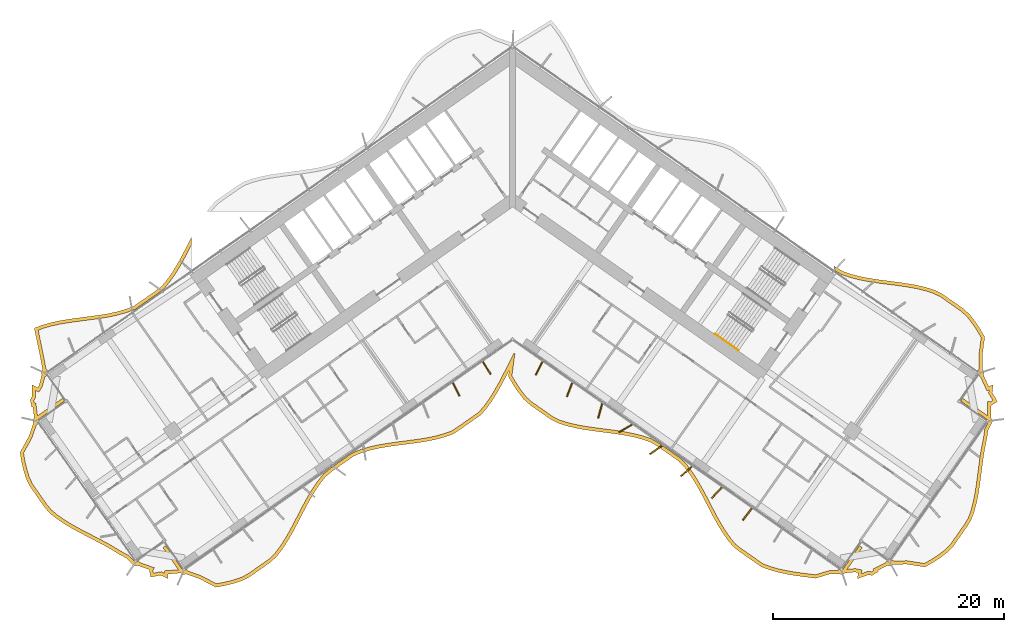
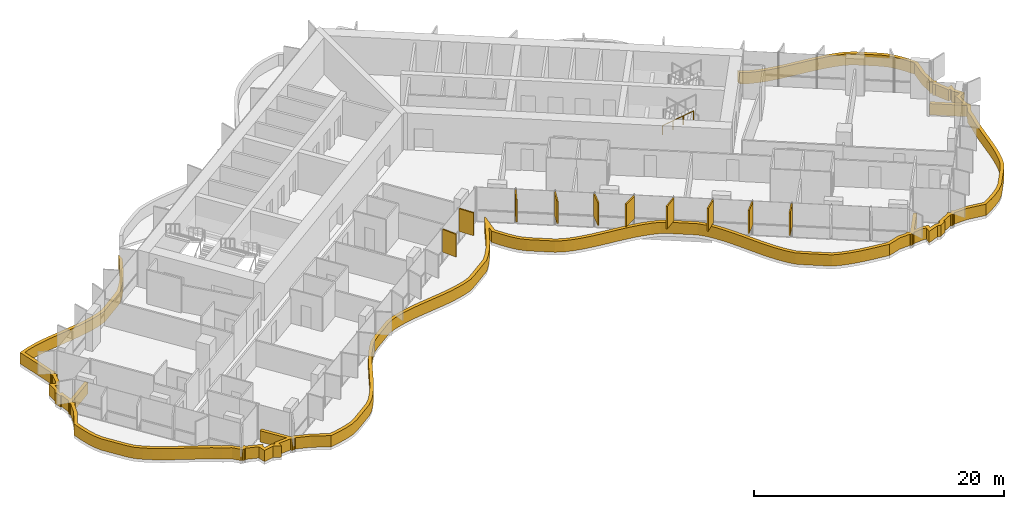
# One storey, part 19 of 22: 11 shading devices, 1 railing.
"""IFC4 building model written with IfcOpenShell, lengths in metres."""

import ifcopenshell
import ifcopenshell.guid

model = None  # the IFC model being written
_history = None  # IfcOwnerHistory: only IFC2X3 demands one
_inside = {}  # id of a spatial element -> (the spatial element, [elements in it])
_under = {}  # id of a project, library or spatial element -> (it, [spatial elements below it])
_declared = {}  # id of a project -> (the project, [libraries it declares])
_typed = {}  # id of a type object -> (the type object, [elements of that type])
_made_of = {}  # id of a material, layer set ... -> (it, [elements and type objects made of it])


def new_model(schema):
    """Start an empty IFC model of exactly this schema.

    Asked for "IFC4X3", IfcOpenShell would pick the latest addendum, in which some entities
    have other attributes; the version numbers below select the first issue.
    IFC2X3 requires an IfcOwnerHistory on every rooted entity: one is made here for all.
    """
    global model, _history
    if schema == "IFC4X3":
        model = ifcopenshell.file(schema_version=(4, 3, 0, 0))
    else:
        model = ifcopenshell.file(schema=schema)
    _inside.clear()
    _under.clear()
    _declared.clear()
    _typed.clear()
    _made_of.clear()
    _history = None
    if model.schema == "IFC2X3":
        org = make("IfcOrganization", Name="unknown")
        user = make(
            "IfcPersonAndOrganization",
            ThePerson=make("IfcPerson", FamilyName="unknown"),
            TheOrganization=org,
        )
        app = make(
            "IfcApplication",
            ApplicationDeveloper=org,
            Version="unknown",
            ApplicationFullName="unknown",
            ApplicationIdentifier="unknown",
        )
        _history = make(
            "IfcOwnerHistory",
            OwningUser=user,
            OwningApplication=app,
            ChangeAction="ADDED",
            CreationDate=0,
        )
    return model


def make(cls, **values):
    """One entity of the class cls with the attributes given. An attribute that is None is left unset."""
    return model.create_entity(
        cls, **{name: value for name, value in values.items() if value is not None}
    )


def rooted(cls, **values):
    """An entity with a GlobalId (a new one), such as an element, a storey or a relation."""
    return make(cls, GlobalId=ifcopenshell.guid.new(), OwnerHistory=_history, **values)


def si_unit(unit_type, name, prefix=None):
    """IfcSIUnit, for example si_unit("LENGTHUNIT", "METRE", prefix="MILLI")."""
    return make("IfcSIUnit", UnitType=unit_type, Prefix=prefix, Name=name)


def assignment(units):
    """IfcUnitAssignment: the units of a project."""
    return None if units is None else make("IfcUnitAssignment", Units=units)


def point(xyz):
    """IfcCartesianPoint."""
    return None if xyz is None else make("IfcCartesianPoint", Coordinates=xyz)


def direction(xyz):
    """IfcDirection."""
    return None if xyz is None else make("IfcDirection", DirectionRatios=xyz)


def frame(location, z_axis=None, x_axis=None):
    """IfcAxis2Placement3D, a coordinate frame: its origin and axes. An axis left out is left unset."""
    return make(
        "IfcAxis2Placement3D",
        Location=point(location),
        Axis=direction(z_axis),
        RefDirection=direction(x_axis),
    )


def frame_2d(location, x_axis=None):
    """IfcAxis2Placement2D, a coordinate frame in the plane: its origin and x axis."""
    return make(
        "IfcAxis2Placement2D", Location=point(location), RefDirection=direction(x_axis)
    )


def origin():
    """The frame at (0, 0, 0) with its axes left unset."""
    return frame((0.0, 0.0, 0.0))


def origin_2d():
    """The frame at (0, 0) in the plane with its x axis left unset."""
    return frame_2d((0.0, 0.0))


def place(relative_to, where):
    """IfcLocalPlacement: puts the frame where relative to a parent placement (None: the world)."""
    return make(
        "IfcLocalPlacement", PlacementRelTo=relative_to, RelativePlacement=where
    )


def context(
    kind, dimensions, precision=None, world=None, true_north=None, identifier=None
):
    """IfcGeometricRepresentationContext, for example the 3D "Model" context."""
    return make(
        "IfcGeometricRepresentationContext",
        ContextIdentifier=identifier,
        ContextType=kind,
        CoordinateSpaceDimension=dimensions,
        Precision=precision,
        WorldCoordinateSystem=world,
        TrueNorth=true_north,
    )


def subcontext(parent, identifier, kind, view, scale=None):
    """IfcGeometricRepresentationSubContext, for example "Body" below "Model"."""
    return make(
        "IfcGeometricRepresentationSubContext",
        ContextIdentifier=identifier,
        ContextType=kind,
        ParentContext=parent,
        TargetScale=scale,
        TargetView=view,
    )


def project(units=None, contexts=None):
    """IfcProject with its units and contexts."""
    return rooted(
        "IfcProject",
        Name="project",
        RepresentationContexts=contexts,
        UnitsInContext=assignment(units),
    )


def spatial(cls, under=None, at=None, **own):
    """A site, building, storey or space (cls), placed at a placement, below another one or the project."""
    s = rooted(cls, ObjectPlacement=at, **own)
    if under is not None:
        _under.setdefault(under.id(), (under, []))[1].append(s)
    return s


def polyline(points):
    """IfcPolyline through the points."""
    return make("IfcPolyline", Points=[point(p) for p in points])


def profile(cls, at=None, kind="AREA", **sizes):
    """A parametric profile (cls). Its sizes go by their IFC names, for example OverallWidth=200.0."""
    return make(cls, ProfileType=kind, Position=at, **sizes)


def rectangle(**sizes):
    """IfcRectangleProfileDef."""
    return profile("IfcRectangleProfileDef", **sizes)


def circle(**sizes):
    """IfcCircleProfileDef."""
    return profile("IfcCircleProfileDef", **sizes)


def outline(outer, holes=None, kind="AREA"):
    """IfcArbitraryClosedProfileDef: a profile drawn as a closed curve; with holes, ...WithVoids."""
    if holes is None:
        return make("IfcArbitraryClosedProfileDef", ProfileType=kind, OuterCurve=outer)
    return make(
        "IfcArbitraryProfileDefWithVoids",
        ProfileType=kind,
        OuterCurve=outer,
        InnerCurves=holes,
    )


def extrude(swept, where, along, depth):
    """IfcExtrudedAreaSolid: the profile swept, set in the frame where, extruded along a direction by depth."""
    return make(
        "IfcExtrudedAreaSolid",
        SweptArea=swept,
        Position=where,
        ExtrudedDirection=direction(along),
        Depth=depth,
    )


def shape(context_of_items, identifier, shape_type, items):
    """IfcShapeRepresentation: the items that make up one representation, for example the "Body"."""
    return make(
        "IfcShapeRepresentation",
        ContextOfItems=context_of_items,
        RepresentationIdentifier=identifier,
        RepresentationType=shape_type,
        Items=items,
    )


def material(Name=None, Category=None):
    """IfcMaterial."""
    return make("IfcMaterial", Name=Name, Category=Category)


def layer(
    of_material, thickness, ventilated=None, Name=None, Category=None, Priority=None
):
    """IfcMaterialLayer: one layer of a wall or slab, of a material (None: an air gap)."""
    return make(
        "IfcMaterialLayer",
        Material=of_material,
        LayerThickness=thickness,
        IsVentilated=ventilated,
        Name=Name,
        Category=Category,
        Priority=Priority,
    )


def layer_set(layers, Name=None):
    """IfcMaterialLayerSet."""
    return make("IfcMaterialLayerSet", MaterialLayers=layers, LayerSetName=Name)


def made_of(thing, what):
    """Note that an element or type object is made of a material, layer set ...; save() writes the relation."""
    if what is not None:
        _made_of.setdefault(what.id(), (what, []))[1].append(thing)
    return thing


def type_object(cls, material=None, **own):
    """A type object (cls), such as IfcWallType, which elements share."""
    return made_of(rooted(cls, **own), material)


def element(
    cls,
    number,
    at=None,
    inside=None,
    cuts=None,
    type_object=None,
    material=None,
    context=None,
    identifier="Body",
    shape_type=None,
    held_by="IfcProductDefinitionShape",
    body=None,
    shapes=None,
    **own,
):
    """One element of the class cls, such as IfcWall. Its Tag is "e" and its number.

    at: its placement. inside: the storey or other place that contains it. cuts: it is an
    opening in that element (IfcRelVoidsElement). A single representation is given by context,
    identifier, shape_type and body (its items); several are given by shapes. held_by: the class
    of the entity that holds the representations. save() writes the other relations.
    """
    e = rooted(cls, Tag="e%d" % number, ObjectPlacement=at, **own)
    if body is not None:
        shapes = [shape(context, identifier, shape_type, body)]
    if shapes is not None:
        e.Representation = make(held_by, Representations=shapes)
    if inside is not None:
        _inside.setdefault(inside.id(), (inside, []))[1].append(e)
    if cuts is not None:
        rooted(
            "IfcRelVoidsElement", RelatingBuildingElement=cuts, RelatedOpeningElement=e
        )
    if type_object is not None:
        _typed.setdefault(type_object.id(), (type_object, []))[1].append(e)
    return made_of(e, material)


def aggregate(whole, parts):
    """IfcRelAggregates: a whole, such as a stair, and the parts it consists of."""
    return rooted("IfcRelAggregates", RelatingObject=whole, RelatedObjects=parts)


def save(model, path):
    """Write the relations noted so far, then the file.

    IfcRelAggregates (storeys below a building ...), IfcRelContainedInSpatialStructure (elements
    in a storey), IfcRelDefinesByType, IfcRelAssociatesMaterial and IfcRelDeclares: one each for
    every whole, place, type object, material and project.
    """
    for whole, parts in _under.values():
        aggregate(whole, parts)
    for where, things in _inside.values():
        rooted(
            "IfcRelContainedInSpatialStructure",
            RelatedElements=things,
            RelatingStructure=where,
        )
    for kind, things in _typed.values():
        rooted("IfcRelDefinesByType", RelatedObjects=things, RelatingType=kind)
    for what, things in _made_of.values():
        rooted("IfcRelAssociatesMaterial", RelatedObjects=things, RelatingMaterial=what)
    for by, libraries in _declared.values():
        rooted("IfcRelDeclares", RelatingContext=by, RelatedDefinitions=libraries)
    model.write(path)


model = new_model("IFC4")

# Units and contexts
model_context = context("Model", 3, precision=1e-05, world=origin(), true_north=direction((0.0, 1.0)))
body_context = subcontext(model_context, "Body", "Model", "MODEL_VIEW")
ifc_project = project(units=[si_unit("LENGTHUNIT", "METRE"), si_unit("AREAUNIT", "SQUARE_METRE"), si_unit("VOLUMEUNIT", "CUBIC_METRE"), si_unit("PLANEANGLEUNIT", "RADIAN"), si_unit("MASSUNIT", "GRAM", prefix="KILO")], contexts=[model_context])

# Site, building, storey
site_placement = place(None, origin())
site = spatial("IfcSite", under=ifc_project, at=site_placement, CompositionType="ELEMENT")
building_placement = place(site_placement, origin())
building = spatial("IfcBuilding", under=site, at=building_placement, Name="Tel Ilan Convention Tower", CompositionType="ELEMENT")
storey_placement = place(building_placement, frame((0.0, 0.0, 122.89990234375)))
storey = spatial("IfcBuildingStorey", under=building, at=storey_placement, Name="L27", CompositionType="ELEMENT", Elevation=122.89990234375)

# Shading devices
ifc_material_1 = material(Name="Aluminium, bronze anodised", Category="aluminium")
ifc_layer_1 = layer(ifc_material_1, 0.1201171875)
ifc_layer_set_1 = layer_set([ifc_layer_1], Name="FIN BRONZE 1300x120")
shading_device_type_1 = type_object("IfcShadingDeviceType", Name="FIN BRONZE 1300x120", PredefinedType="USERDEFINED", material=ifc_layer_set_1)
for number, where, z_axis, x_axis, name in (
    (1, (-4.893798828125, -17.039794921875, 1.10009765625), (0.0, 0.0, 1.0), (0.448799180206, -0.893632640321, 0.0), "FIN"),
    (2, (-2.2470703125, -15.18701171875, 1.10009765625), (0.0, 0.0, 1.0), (0.533204432798, -0.845986425922, 0.0), "FIN"),
    (3, (2.298583984375, -15.222900390625, 1.10009765625), (0.0, 0.0, 1.0), (-0.448799180206, -0.893632640321, 0.0), "FIN"),
    (4, (4.947998046875, -17.070068359375, 1.10009765625), (0.0, 0.0, 1.0), (-0.360177724803, -0.932883704733, 0.0), "FIN"),
    (5, (7.599609375, -18.91162109375, 1.10009765625), (0.0, 0.0, 1.0), (-0.268172612768, -0.963370878614, 0.0), "FIN"),
    (6, (9.802978515625, -20.431884765625, 1.10009765625), (0.0, 0.0, 1.0), (-0.866025403784, -0.5, 0.0), "FIN"),
    (7, (12.435302734375, -22.29736328125, 1.10009765625), (0.0, 0.0, 1.0), (-0.813552070258, -0.581492071294, 0.0), "FIN"),
    (8, (15.07275390625, -24.159423828125, 1.10009765625), (0.0, 0.0, 1.0), (-0.753435896329, -0.657521368568, 0.0), "FIN"),
    (9, (17.714599609375, -26.01708984375, 1.10009765625), (0.0, 0.0, 1.0), (-0.686241637865, -0.727373641577, 0.0), "FIN"),
    (10, (20.36083984375, -27.87060546875, 1.10009765625), (0.0, 0.0, 1.0), (-0.612600545196, -0.790392669516, 0.0), "FIN"),
):
    element("IfcShadingDevice", number, at=place(storey_placement, frame(where, z_axis=z_axis, x_axis=x_axis)), inside=storey, type_object=shading_device_type_1, Name=name, ObjectType="FIN", PredefinedType="USERDEFINED", context=body_context, shape_type="SweptSolid", body=[
        extrude(rectangle(XDim=1.300048828125, YDim=0.1201171875, at=origin_2d()), origin(), (0.0, 0.0, 1.0), 2.219970703125),
    ])
ifc_material_2 = material(Name="Aluminium, bronze anodised", Category="aluminium")
ifc_layer_2 = layer(ifc_material_2, 0.300048828125)
ifc_layer_set_2 = layer_set([ifc_layer_2], Name="LOUVRE BAND 300x1100")
shading_device_type_2 = type_object("IfcShadingDeviceType", Name="LOUVRE BAND 300x1100", PredefinedType="USERDEFINED", material=ifc_layer_set_2)
shading_device_placement = place(storey_placement, origin())
element("IfcShadingDevice", 11, at=shading_device_placement, inside=storey, type_object=shading_device_type_2, Name="LOUVRE BAND 21.01", ObjectType="LOUVRE", PredefinedType="USERDEFINED", context=body_context, shape_type="SweptSolid", body=[
    extrude(outline(polyline([(-41.95263671875, -21.091796875), (-42.734619140625, -22.51123046875), (-42.607421875, -23.294189453125), (-42.430908203125, -24.04248046875), (-42.208740234375, -24.7587890625), (-41.900146484375, -25.414794921875), (-40.671142578125, -27.170166015625), (-40.220458984375, -27.726806640625), (-39.64404296875, -28.195068359375), (-39.018310546875, -28.62890625), (-38.352294921875, -29.03466796875), (-37.656982421875, -29.419677734375), (-35.51513671875, -30.535888671875), (-34.82470703125, -30.92431640625), (-34.16357421875, -31.33349609375), (-33.458251953125, -31.711669921875), (-32.969482421875, -32.241455078125), (-32.96484375, -32.238037109375), (-32.93603515625, -32.281494140625), (-32.838623046875, -32.346435546875), (-32.723876953125, -32.369384765625), (-32.609130859375, -32.346435546875), (-32.554931640625, -32.310302734375), (-31.51708984375, -32.678955078125), (-31.52783203125, -32.69677734375), (-31.39501953125, -33.33642578125), (-30.5068359375, -33.168701171875), (-29.9072265625, -33.476806640625), (-29.906005859375, -33.06201171875), (-28.786865234375, -32.974853515625), (-28.7578125, -33.01806640625), (-28.660400390625, -33.083251953125), (-28.545654296875, -33.10595703125), (-28.430908203125, -33.083251953125), (-28.376953125, -33.047119140625), (-27.177490234375, -33.46728515625), (-25.748291015625, -34.2158203125), (-24.94677734375, -34.067626953125), (-24.174072265625, -33.878662109375), (-23.436767578125, -33.63916015625), (-22.779296875, -33.28515625), (-20.957275390625, -32.009521484375), (-20.41845703125, -31.486083984375), (-19.947509765625, -30.8662109375), (-19.5107421875, -30.197265625), (-19.1005859375, -29.490234375), (-18.708740234375, -28.75732421875), (-17.939697265625, -27.270263671875), (-17.54296875, -26.544189453125), (-17.125, -25.848388671875), (-16.677734375, -25.1943359375), (-16.19384765625, -24.5927734375), (-15.619140625, -24.12109375), (-13.797119140625, -22.84521484375), (-13.101318359375, -22.546142578125), (-12.351806640625, -22.323974609375), (-11.56884765625, -22.1494140625), (-10.760498046875, -22.01123046875), (-9.935791015625, -21.896484375), (-8.276123046875, -21.681396484375), (-7.4609375, -21.552734375), (-6.66845703125, -21.39208984375), (-5.906494140625, -21.1875), (-5.18212890625, -20.92919921875), (-4.55859375, -20.527099609375), (-2.736572265625, -19.251220703125), (-2.23828125, -18.669921875), (-1.779296875, -18.032958984375), (-1.352294921875, -17.350341796875), (-0.94921875, -16.63330078125), (-0.29345703125, -15.373291015625), (-0.367919921875, -15.928955078125), (0.045166015625, -16.631591796875), (0.487060546875, -17.29296875), (0.964599609375, -17.90380859375), (1.52197265625, -18.400634765625), (3.343994140625, -19.676513671875), (4.02001953125, -20.003662109375), (4.763427734375, -20.234375), (5.54150390625, -20.416015625), (6.34619140625, -20.559326171875), (7.1689453125, -20.67724609375), (8.829345703125, -20.89111328125), (9.647216796875, -21.015625), (10.444091796875, -21.17041015625), (11.211669921875, -21.366943359375), (11.9423828125, -21.61572265625), (12.582275390625, -21.99462890625), (14.404541015625, -23.2705078125), (14.92333984375, -23.822021484375), (15.388427734375, -24.450439453125), (15.8203125, -25.12646484375), (16.2265625, -25.8388671875), (16.61669921875, -26.574462890625), (17.38623046875, -28.060546875), (17.785888671875, -28.782470703125), (18.2080078125, -29.47216796875), (18.660888671875, -30.1181640625), (19.1513671875, -30.71044921875), (19.742431640625, -31.158935546875), (21.564697265625, -32.4345703125), (22.281005859375, -32.7041015625), (23.03662109375, -32.917724609375), (23.824462890625, -33.08544921875), (24.635986328125, -33.218994140625), (26.29443359375, -33.435546875), (27.448974609375, -33.079345703125), (28.376953125, -33.047119140625), (28.430908203125, -33.083251953125), (28.545654296875, -33.10595703125), (28.660400390625, -33.083251953125), (28.7578125, -33.01806640625), (28.786865234375, -32.974853515625), (29.716796875, -32.8935546875), (29.97412109375, -32.9453125), (29.9072265625, -33.476806640625), (30.8779296875, -33.126708984375), (31.183837890625, -33.188232421875), (31.7392578125, -32.8447265625), (31.685546875, -32.75439453125), (32.554931640625, -32.310302734375), (32.609130859375, -32.346435546875), (32.723876953125, -32.369384765625), (32.838623046875, -32.346435546875), (32.93603515625, -32.281494140625), (32.96484375, -32.238037109375), (34.16845703125, -32.208740234375), (35.769775390625, -32.4580078125), (36.4619140625, -32.07080078125), (37.104736328125, -31.64892578125), (37.701904296875, -31.195068359375), (38.212890625, -30.680908203125), (39.44189453125, -28.925537109375), (39.810791015625, -28.311767578125), (40.0537109375, -27.60986328125), (40.247314453125, -26.87353515625), (40.40087890625, -26.109130859375), (40.52490234375, -25.323974609375), (40.841064453125, -22.929443359375), (40.969970703125, -22.147705078125), (41.12841796875, -21.386474609375), (41.24267578125, -20.594482421875), (41.5732421875, -19.9541015625), (41.568603515625, -19.950927734375), (41.604736328125, -19.896728515625), (41.62744140625, -19.781982421875), (41.604736328125, -19.667236328125), (41.53955078125, -19.56982421875), (41.496337890625, -19.541015625), (41.487548828125, -18.439453125), (41.508056640625, -18.443603515625), (42.063720703125, -18.10009765625), (41.602294921875, -17.322509765625), (41.686767578125, -16.65380859375), (41.29638671875, -16.79443359375), (40.831787109375, -15.772705078125), (40.867919921875, -15.71875), (40.890869140625, -15.603759765625), (40.867919921875, -15.489013671875), (40.802978515625, -15.3916015625), (40.759521484375, -15.36279296875), (40.743408203125, -14.096435546875), (40.96044921875, -12.496826171875), (40.548828125, -11.795654296875), (40.108154296875, -11.13525390625), (39.63232421875, -10.525390625), (39.078125, -10.02783203125), (37.260498046875, -8.755126953125), (36.5888671875, -8.4248046875), (35.84814453125, -8.193115234375), (35.072998046875, -8.0107421875), (34.27099609375, -7.86669921875), (33.450927734375, -7.748779296875), (31.79443359375, -7.535400390625), (30.97802734375, -7.412109375), (30.181884765625, -7.259521484375), (29.414794921875, -7.0654296875), (28.68408203125, -6.820068359375), (28.040283203125, -6.44970703125), (27.874755859375, -6.333740234375), (27.874755859375, -6.70068359375), (28.560302734375, -7.094970703125), (29.330322265625, -7.353515625), (30.116943359375, -7.552490234375), (30.92724609375, -7.707763671875), (31.752685546875, -7.83251953125), (33.41064453125, -8.0458984375), (34.22314453125, -8.162841796875), (35.01220703125, -8.3046875), (35.76904296875, -8.482666015625), (36.477294921875, -8.7041015625), (37.107421875, -9.01416015625), (38.89111328125, -10.26318359375), (39.412109375, -10.73095703125), (39.86474609375, -11.31103515625), (40.29443359375, -11.954833984375), (40.649169921875, -12.559326171875), (40.443115234375, -14.07861328125), (40.46142578125, -15.265625), (40.344970703125, -15.431640625), (40.5908203125, -15.603759765625), (40.41943359375, -15.85009765625), (40.596923828125, -15.974365234375), (41.13720703125, -17.1708984375), (41.327880859375, -17.10205078125), (41.291748046875, -17.38720703125), (41.6552734375, -17.999755859375), (41.451171875, -18.1259765625), (41.18359375, -18.072265625), (41.197265625, -19.324462890625), (39.0419921875, -17.8154296875), (38.8701171875, -18.061279296875), (41.327392578125, -19.781982421875), (41.155517578125, -20.02783203125), (41.186279296875, -20.04931640625), (40.952880859375, -20.501708984375), (40.832763671875, -21.33447265625), (40.675048828125, -22.0927734375), (40.54443359375, -22.884521484375), (40.22802734375, -25.28076171875), (40.10546875, -26.05615234375), (39.955078125, -26.8056640625), (39.766357421875, -27.5224609375), (39.53759765625, -28.18408203125), (39.190185546875, -28.761962890625), (37.98193359375, -30.48779296875), (37.50390625, -30.96875), (36.931640625, -31.40380859375), (36.30615234375, -31.814208984375), (35.713623046875, -32.145751953125), (34.1875, -31.908203125), (33.060546875, -31.938720703125), (32.89599609375, -31.823486328125), (32.723876953125, -32.0693359375), (32.4775390625, -31.89794921875), (32.34912109375, -32.08154296875), (31.26416015625, -32.6318359375), (31.3310546875, -32.74462890625), (31.126708984375, -32.870849609375), (30.854736328125, -32.816162109375), (30.26611328125, -33.028564453125), (30.306884765625, -32.7060546875), (29.73291015625, -32.5908203125), (29.016845703125, -32.65625), (30.340087890625, -30.766357421875), (30.09423828125, -30.59423828125), (28.545654296875, -32.805908203125), (28.2998046875, -32.634033203125), (28.214111328125, -32.75634765625), (27.3994140625, -32.78076171875), (26.267822265625, -33.1298828125), (24.6806640625, -32.922119140625), (23.8798828125, -32.79052734375), (23.10888671875, -32.626220703125), (22.374755859375, -32.4189453125), (21.70556640625, -32.167236328125), (19.919189453125, -30.91650390625), (19.3603515625, -30.492431640625), (18.899658203125, -29.936279296875), (18.459228515625, -29.3076171875), (18.04541015625, -28.63134765625), (17.650634765625, -27.91845703125), (16.882568359375, -26.435791015625), (16.489501953125, -25.694091796875), (16.0771484375, -24.97119140625), (15.6357421875, -24.2802734375), (15.154052734375, -23.629150390625), (14.601806640625, -23.04248046875), (12.7451171875, -21.742431640625), (12.068603515625, -21.341796875), (11.29736328125, -21.0791015625), (10.510009765625, -20.87744140625), (9.698486328125, -20.719970703125), (8.871337890625, -20.593994140625), (7.209228515625, -20.3798828125), (6.393798828125, -20.26318359375), (5.60205078125, -20.1220703125), (4.84228515625, -19.94482421875), (4.13037109375, -19.723876953125), (3.496337890625, -19.4169921875), (1.70849609375, -18.1650390625), (1.184326171875, -17.697998046875), (0.73046875, -17.1171875), (0.299560546875, -16.471923828125), (-0.056884765625, -15.8662109375), (0.199462890625, -13.955810546875), (0.11083984375, -13.927978515625), (-0.8271484375, -15.756591796875), (-1.212890625, -16.489990234375), (-1.6103515625, -17.197265625), (-2.0283203125, -17.86572265625), (-2.474365234375, -18.484375), (-2.939697265625, -19.027099609375), (-4.72607421875, -20.278076171875), (-5.315673828125, -20.658203125), (-5.995849609375, -20.90087890625), (-6.737060546875, -21.099853515625), (-7.51416015625, -21.25732421875), (-8.319091796875, -21.384521484375), (-9.97509765625, -21.59912109375), (-10.806396484375, -21.71484375), (-11.626708984375, -21.85498046875), (-12.427001953125, -22.033447265625), (-13.20361328125, -22.263427734375), (-13.94384765625, -22.581787109375), (-15.800537109375, -23.8818359375), (-16.408203125, -24.380615234375), (-16.9189453125, -25.015380859375), (-17.377685546875, -25.686279296875), (-17.80322265625, -26.39501953125), (-18.20458984375, -27.129150390625), (-18.974365234375, -28.617919921875), (-19.36279296875, -29.34423828125), (-19.76611328125, -30.0400390625), (-20.192626953125, -30.693359375), (-20.643798828125, -31.28662109375), (-21.14892578125, -31.777587890625), (-22.93701171875, -33.029296875), (-23.55517578125, -33.362060546875), (-24.256103515625, -33.590087890625), (-25.009765625, -33.7744140625), (-25.700927734375, -33.90185546875), (-27.057861328125, -33.19140625), (-28.18359375, -32.80029296875), (-28.2998046875, -32.634033203125), (-28.545654296875, -32.805908203125), (-30.09423828125, -30.59423828125), (-30.340087890625, -30.766357421875), (-28.991455078125, -32.6923828125), (-30.205078125, -32.78369140625), (-30.20556640625, -32.986083984375), (-30.461181640625, -32.85498046875), (-31.161376953125, -32.98681640625), (-31.2099609375, -32.751708984375), (-31.068115234375, -32.518798828125), (-32.361328125, -32.06396484375), (-32.4775390625, -31.89794921875), (-32.723876953125, -32.0693359375), (-32.89599609375, -31.823486328125), (-32.927001953125, -31.84521484375), (-33.27197265625, -31.47119140625), (-34.013427734375, -31.073486328125), (-34.672119140625, -30.666015625), (-35.37158203125, -30.272216796875), (-37.514892578125, -29.155517578125), (-38.20166015625, -28.775146484375), (-38.8544921875, -28.377197265625), (-39.463623046875, -27.954833984375), (-40.007080078125, -27.513671875), (-40.431396484375, -26.989501953125), (-41.6396484375, -25.263916015625), (-41.92822265625, -24.650146484375), (-42.141357421875, -23.963623046875), (-42.31298828125, -23.235595703125), (-42.421875, -22.565185546875), (-41.6767578125, -21.212646484375), (-41.320068359375, -20.14306640625), (-41.155517578125, -20.02783203125), (-41.327392578125, -19.781982421875), (-38.8701171875, -18.061279296875), (-39.0419921875, -17.8154296875), (-41.220947265625, -19.34130859375), (-41.356689453125, -18.2177734375), (-41.485595703125, -18.2421875), (-41.534423828125, -18.007080078125), (-41.39013671875, -17.770263671875), (-41.38818359375, -17.14453125), (-41.09912109375, -17.29296875), (-40.794677734375, -16.793212890625), (-40.574462890625, -15.958740234375), (-40.41943359375, -15.85009765625), (-40.5908203125, -15.603759765625), (-40.344970703125, -15.431640625), (-40.48046875, -15.238037109375), (-40.81787109375, -13.5107421875), (-41.15283203125, -11.91748046875), (-40.691162109375, -11.74365234375), (-39.958740234375, -11.537353515625), (-39.189208984375, -11.373779296875), (-38.390625, -11.24267578125), (-35.911865234375, -10.914306640625), (-35.091064453125, -10.780029296875), (-34.288330078125, -10.610107421875), (-33.512451171875, -10.392333984375), (-32.749267578125, -10.1083984375), (-30.893798828125, -8.81396484375), (-30.2685546875, -8.34814453125), (-29.747314453125, -7.72314453125), (-29.28173828125, -7.063232421875), (-28.85107421875, -6.363037109375), (-28.4462890625, -5.63525390625), (-27.874755859375, -4.5361328125), (-27.874755859375, -3.88330078125), (-28.71044921875, -5.49267578125), (-29.10986328125, -6.211669921875), (-29.5322265625, -6.89794921875), (-29.9853515625, -7.540283203125), (-30.47607421875, -8.128662109375), (-31.069580078125, -8.57080078125), (-32.88916015625, -9.84033203125), (-33.60546875, -10.10693359375), (-34.360107421875, -10.318603515625), (-35.146240234375, -10.485107421875), (-35.956298828125, -10.61767578125), (-38.43505859375, -10.946044921875), (-39.244873046875, -11.078857421875), (-40.03076171875, -11.245849609375), (-40.784912109375, -11.45849609375), (-41.499267578125, -11.727294921875), (-41.11181640625, -13.5703125), (-40.759521484375, -15.36279296875), (-40.802978515625, -15.3916015625), (-40.867919921875, -15.489013671875), (-40.890869140625, -15.603759765625), (-40.867919921875, -15.71875), (-40.831787109375, -15.772705078125), (-41.073486328125, -16.67431640625), (-41.210205078125, -16.898681640625), (-41.686767578125, -16.65380859375), (-41.68994140625, -17.685546875), (-41.852294921875, -17.9521484375), (-41.719482421875, -18.591552734375), (-41.6162109375, -18.572021484375), (-41.496337890625, -19.541015625), (-41.53955078125, -19.56982421875), (-41.604736328125, -19.667236328125), (-41.62744140625, -19.781982421875), (-41.604736328125, -19.896728515625), (-41.568603515625, -19.950927734375), (-41.95263671875, -21.091796875)])), origin(), (0.0, 0.0, 1.0), 1.10009765625),
])

# Railing
ifc_material_3 = material(Name="Stainless Steel Grade 316", Category="steel")
railing_type = type_object("IfcRailingType", Name="Stainless Steel Stair Handrail 900 mm", PredefinedType="HANDRAIL", material=ifc_material_3)
railing_placement = place(storey_placement, frame((17.542236328125, -12.22216796875, 1.97998046875)))
element("IfcRailing", 12, at=railing_placement, inside=storey, type_object=railing_type, Name="L27 S4 stair handrail 2", PredefinedType="HANDRAIL", context=body_context, shape_type="SweptSolid", body=[
    extrude(circle(Radius=0.02392578125, at=origin_2d()), frame((0.0, 0.0, 0.8759765625), z_axis=(0.689040105437, -0.482450316285, 0.54080072616), x_axis=(0.573559875649, 0.819163639968, 0.0)), (0.0, 0.0, 1.0), 2.995849609375),
    extrude(circle(Radius=0.02099609375, at=origin_2d()), origin(), (0.0, 0.0, 1.0), 0.851806640625),
    extrude(circle(Radius=0.02099609375, at=origin_2d()), frame((0.68798828125, -0.481689453125, 0.5400390625)), (0.0, 0.0, 1.0), 0.851806640625),
    extrude(circle(Radius=0.02099609375, at=origin_2d()), frame((1.376220703125, -0.963623046875, 1.080078125)), (0.0, 0.0, 1.0), 0.851806640625),
    extrude(circle(Radius=0.02099609375, at=origin_2d()), frame((2.064208984375, -1.4453125, 1.6201171875)), (0.0, 0.0, 1.0), 0.851806640625),
])

save(model, "model.ifc")
